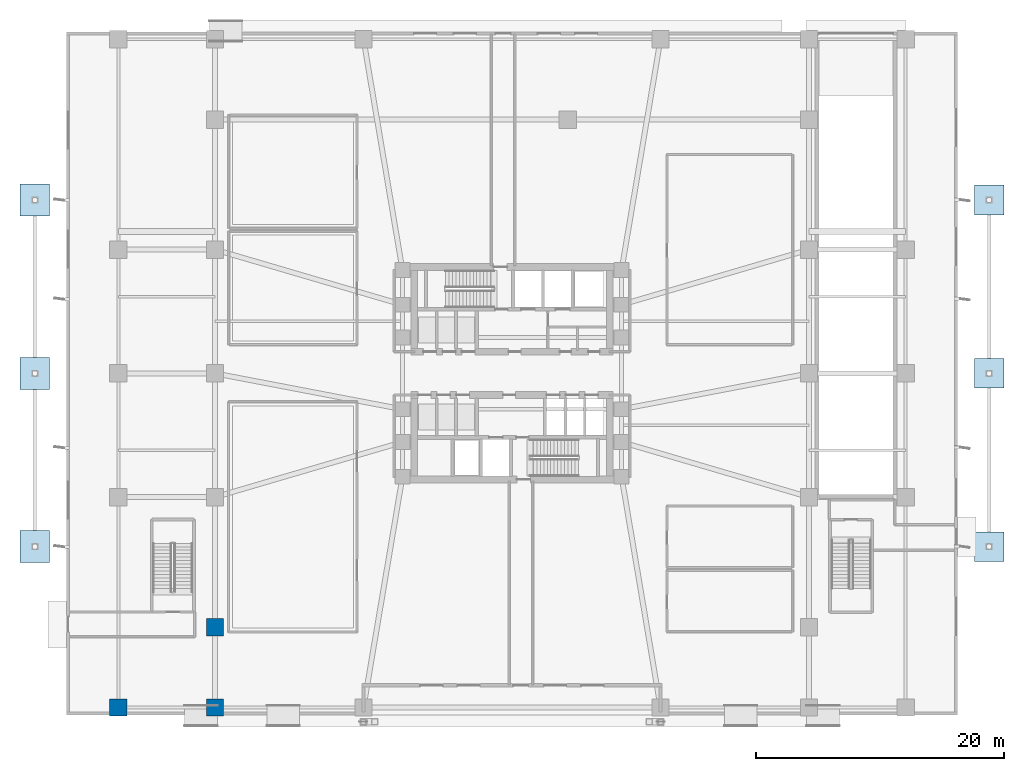
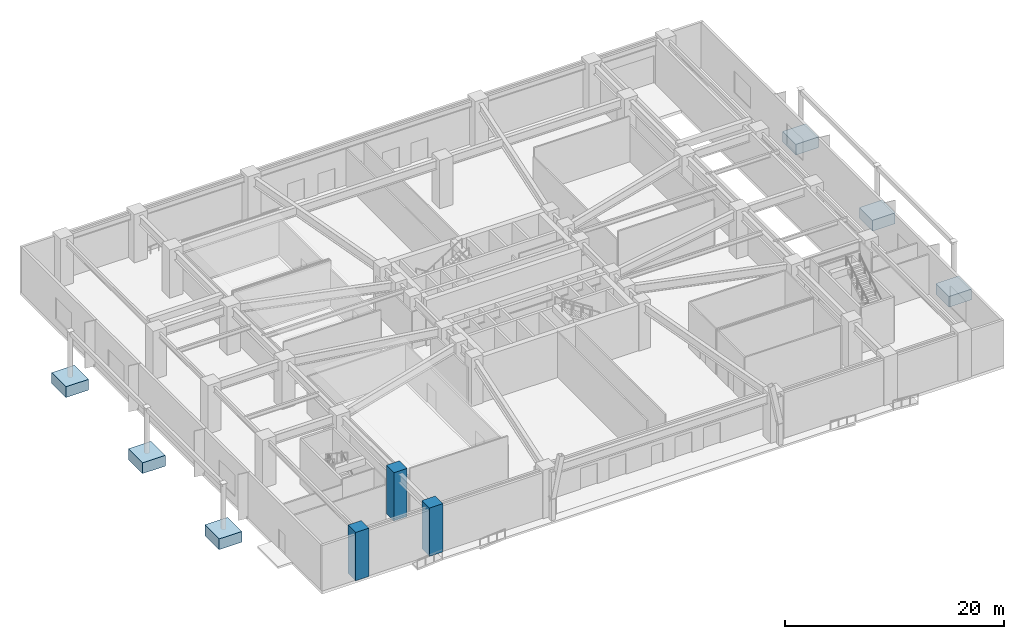
# One storey, part 1 of 20: 6 footings, 3 columns.
"""IFC4 building model written with IfcOpenShell, lengths in metres."""

from ifc_helpers import new_model, si_unit, direction, frame, origin, origin_2d, place, context, subcontext, project, spatial, rectangle, extrude, material, material_profile, profile_set, type_object, element, save


model = new_model("IFC4")

# Units and contexts
model_context = context("Model", 3, precision=1e-05, world=origin(), true_north=direction((0.0, 1.0)))
body_context = subcontext(model_context, "Body", "Model", "MODEL_VIEW")
ifc_project = project(units=[si_unit("LENGTHUNIT", "METRE"), si_unit("AREAUNIT", "SQUARE_METRE"), si_unit("VOLUMEUNIT", "CUBIC_METRE"), si_unit("PLANEANGLEUNIT", "RADIAN"), si_unit("MASSUNIT", "GRAM", prefix="KILO")], contexts=[model_context])

# Site, building, storey
site_placement = place(None, origin())
site = spatial("IfcSite", under=ifc_project, at=site_placement, CompositionType="ELEMENT")
building_placement = place(site_placement, origin())
building = spatial("IfcBuilding", under=site, at=building_placement, Name="Solmarez Civic Tower", CompositionType="ELEMENT")
storey_placement = place(building_placement, origin())
storey = spatial("IfcBuildingStorey", under=building, at=storey_placement, Name="L00", CompositionType="ELEMENT", Elevation=0.0)

# Footings
ifc_material_1 = material(Name="Concrete C50/60", Category="concrete")
footing_type_1 = type_object("IfcFootingType", Name="PAD-C50-2400", PredefinedType="PAD_FOOTING", material=ifc_material_1)
for number, where, z_axis, x_axis, name in (
    (1, (38.550048828125, -14.0, -1.5), (0.0, 0.0, 1.0), (1.0, 0.0, 0.0), "Plaza Canopy Pad Footing PF-E1"),
    (2, (38.550048828125, 0.0, -1.5), (0.0, 0.0, 1.0), (1.0, 0.0, 0.0), "Plaza Canopy Pad Footing PF-E2"),
    (3, (38.550048828125, 14.0, -1.5), (0.0, 0.0, 1.0), (1.0, 0.0, 0.0), "Plaza Canopy Pad Footing PF-E3"),
):
    element("IfcFooting", number, at=place(storey_placement, frame(where, z_axis=z_axis, x_axis=x_axis)), inside=storey, type_object=footing_type_1, Name=name, PredefinedType="PAD_FOOTING", context=body_context, shape_type="SweptSolid", body=[
        extrude(rectangle(XDim=2.39990234375, YDim=2.39990234375, at=origin_2d()), origin(), (0.0, 0.0, 1.0), 1.199951171875),
    ])
footing_type_2 = type_object("IfcFootingType", Name="PAD-C50-2600", PredefinedType="PAD_FOOTING", material=ifc_material_1)
for number, where, z_axis, x_axis, name in (
    (4, (-38.550048828125, -14.0, -1.5), (0.0, 0.0, 1.0), (1.0, 0.0, 0.0), "Plaza Canopy Pad Footing PF-W1"),
    (5, (-38.550048828125, 0.0, -1.5), (0.0, 0.0, 1.0), (1.0, 0.0, 0.0), "Plaza Canopy Pad Footing PF-W2"),
    (6, (-38.550048828125, 14.0, -1.5), (0.0, 0.0, 1.0), (1.0, 0.0, 0.0), "Plaza Canopy Pad Footing PF-W3"),
):
    element("IfcFooting", number, at=place(storey_placement, frame(where, z_axis=z_axis, x_axis=x_axis)), inside=storey, type_object=footing_type_2, Name=name, PredefinedType="PAD_FOOTING", context=body_context, shape_type="SweptSolid", body=[
        extrude(rectangle(XDim=2.39990234375, YDim=2.60009765625, at=origin_2d()), origin(), (0.0, 0.0, 1.0), 1.199951171875),
    ])

# Columns
ifc_material_2 = material(Name="Concrete C60/75", Category="concrete")
ifc_material_profile = material_profile(ifc_material_2, rectangle(XDim=1.39990234375, YDim=1.39990234375, at=origin_2d()), Name="RC1400X1400")
ifc_profile_set = profile_set([ifc_material_profile], Name="Concrete C60/75")
column_type = type_object("IfcColumnType", Name="COL-RC1400", PredefinedType="COLUMN", material=ifc_profile_set)
for number, where, z_axis, x_axis, name in (
    (7, (-31.800048828125, -27.0, 0.0), (0.0, 0.0, 1.0), (1.0, 0.0, 0.0), "L00 Structural Column PC01"),
    (8, (-24.0, -27.0, 0.0), (0.0, 0.0, 1.0), (1.0, 0.0, 0.0), "L00 Structural Column PC02"),
    (9, (-24.0, -20.5, 0.0), (0.0, 0.0, 1.0), (1.0, 0.0, 0.0), "L00 Structural Column PC27"),
):
    element("IfcColumn", number, at=place(storey_placement, frame(where, z_axis=z_axis, x_axis=x_axis)), inside=storey, type_object=column_type, Name=name, PredefinedType="COLUMN", context=body_context, shape_type="SweptSolid", body=[
        extrude(rectangle(XDim=1.39990234375, YDim=1.39990234375, at=origin_2d()), origin(), (0.0, 0.0, 1.0), 5.39990234375),
    ])

save(model, "model.ifc")
